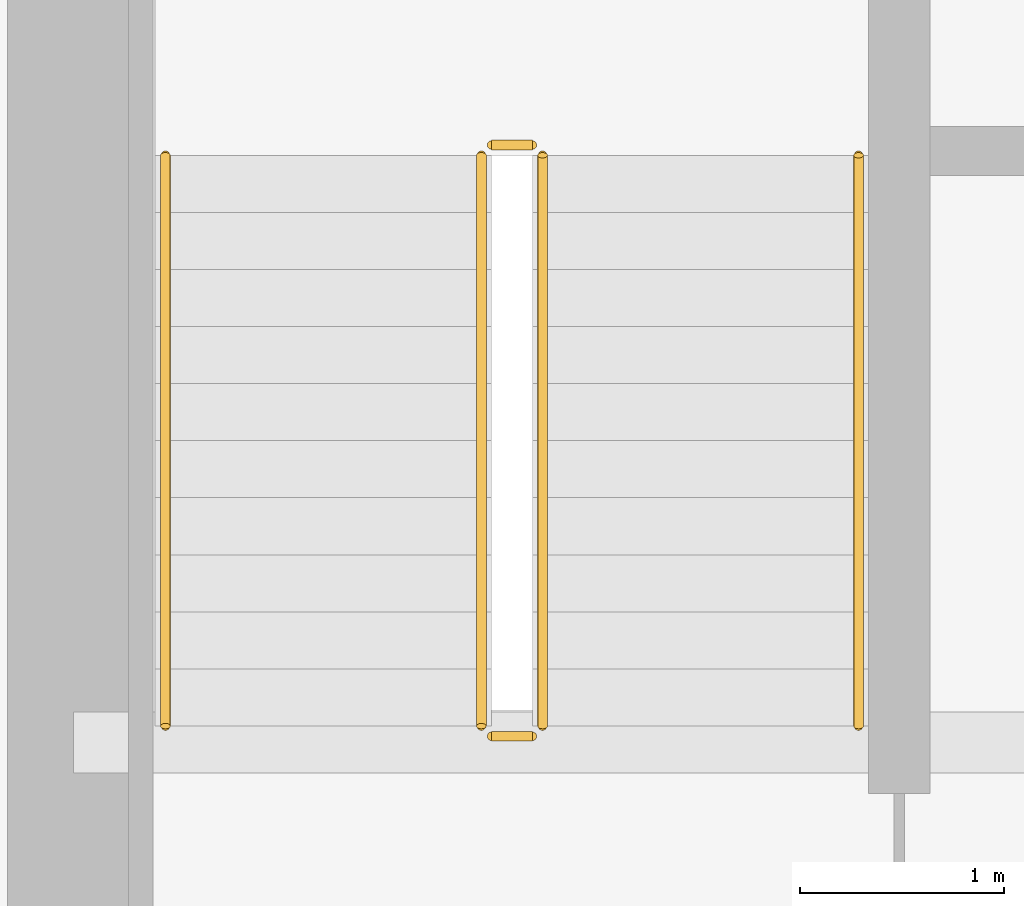
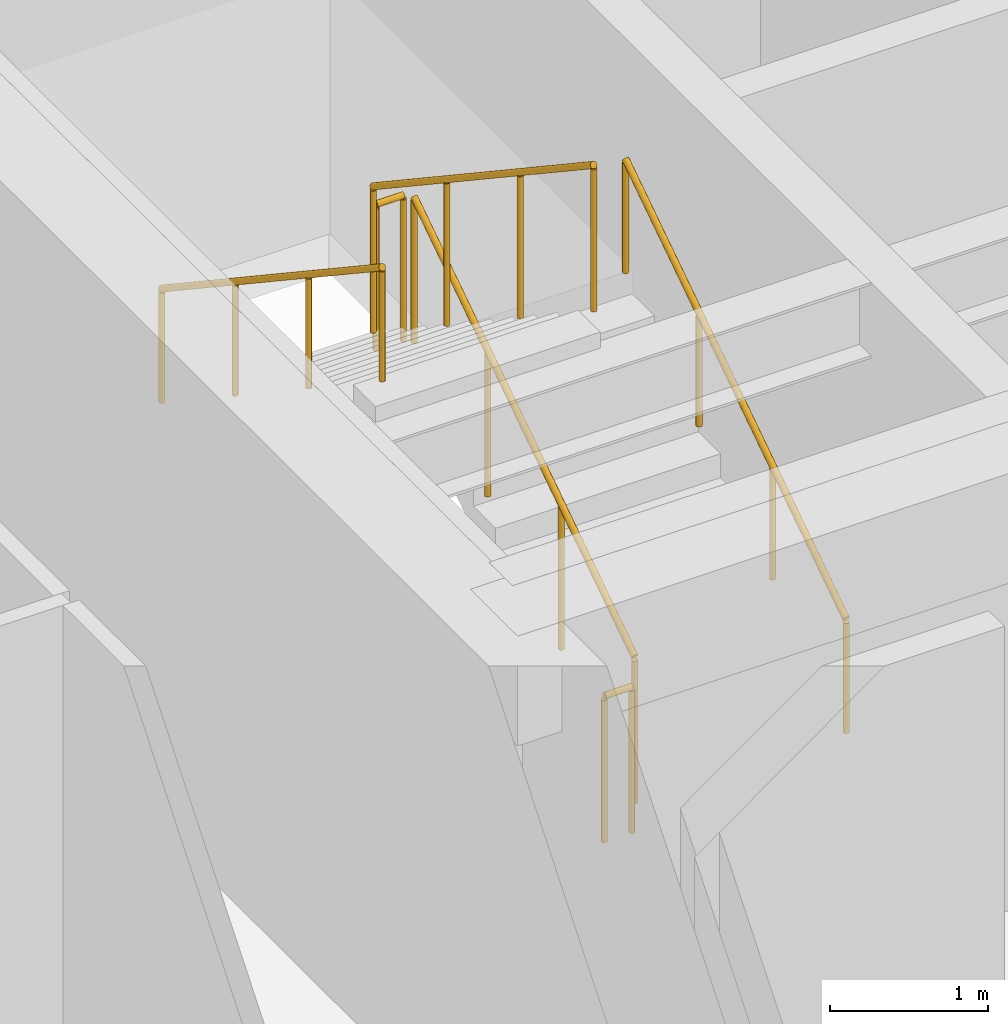
# One storey, part 30 of 31: 6 railings.
"""IFC4 building model written with IfcOpenShell, lengths in metres."""

from ifc_helpers import new_model, si_unit, direction, frame, origin, origin_2d, place, context, subcontext, project, spatial, circle, extrude, source, transform, mapped, material, type_object, type_shapes, element, save


model = new_model("IFC4")

# Units and contexts
model_context = context("Model", 3, precision=1e-05, world=origin(), true_north=direction((0.0, 1.0)))
body_context = subcontext(model_context, "Body", "Model", "MODEL_VIEW")
ifc_project = project(units=[si_unit("LENGTHUNIT", "METRE"), si_unit("AREAUNIT", "SQUARE_METRE"), si_unit("VOLUMEUNIT", "CUBIC_METRE"), si_unit("PLANEANGLEUNIT", "RADIAN"), si_unit("MASSUNIT", "GRAM", prefix="KILO")], contexts=[model_context])

# Site, building, storey
site_placement = place(None, origin())
site = spatial("IfcSite", under=ifc_project, at=site_placement, CompositionType="ELEMENT")
building_placement = place(site_placement, origin())
building = spatial("IfcBuilding", under=site, at=building_placement, Name="Haelvirn Gate Laboratories", CompositionType="ELEMENT")
storey_placement = place(building_placement, frame((0.0, 0.0, 174.800048828125)))
storey = spatial("IfcBuildingStorey", under=building, at=storey_placement, Name="L42", CompositionType="ELEMENT", Elevation=174.800048828125)

# Railings
ifc_material_1 = material(Name="Galvanised steel SM355 & stainless top rail", Category="steel")
railing_type_1 = type_object("IfcRailingType", Name="RL-GUARD-1150", PredefinedType="GUARDRAIL", material=ifc_material_1)
shared_shape_1 = source(origin(), body_context, "Body", "SweptSolid", [
    extrude(circle(Radius=0.02392578125, at=origin_2d()), frame((0.0, 0.0, 1.1259765625), z_axis=(-1.0, 0.0, 0.0), x_axis=(0.0, -1.0, 0.0)), (0.0, 0.0, 1.0), 0.199951171875),
    extrude(circle(Radius=0.02099609375, at=origin_2d()), origin(), (0.0, 0.0, 1.0), 1.101806640625),
    extrude(circle(Radius=0.02099609375, at=origin_2d()), frame((-0.199951171875, 0.0, 0.0)), (0.0, 0.0, 1.0), 1.101806640625),
])
for number, where, name in (
    (1, (9.64990234375, 29.550048828125, 2.050048828125), "L42 ST1 stair guard 2"),
    (2, (9.64990234375, 26.64990234375, 0.0), "L42 ST1 stair guard 4"),
):
    element("IfcRailing", number, at=place(storey_placement, frame(where)), inside=storey, type_object=railing_type_1, Name=name, PredefinedType="GUARDRAIL", context=body_context, shape_type="MappedRepresentation", body=[
        mapped(shared_shape_1, transform((0.0, 0.0, 0.0), scale=1.0)),
    ])
shared_shape_2 = source(origin(), body_context, "Body", "SweptSolid", [
    extrude(circle(Radius=0.02392578125, at=origin_2d()), frame((0.0, 0.0, 1.1259765625), z_axis=(0.0, 0.832452072856, 0.554097055034), x_axis=(-1.0, 0.0, 0.0)), (0.0, 0.0, 1.0), 3.363525390625),
    extrude(circle(Radius=0.02099609375, at=origin_2d()), origin(), (0.0, 0.0, 1.0), 1.101806640625),
    extrude(circle(Radius=0.02099609375, at=origin_2d()), frame((0.0, 0.933349609375, 0.621337890625)), (0.0, 0.0, 1.0), 1.101806640625),
    extrude(circle(Radius=0.02099609375, at=origin_2d()), frame((0.0, 1.86669921875, 1.242431640625)), (0.0, 0.0, 1.0), 1.101806640625),
    extrude(circle(Radius=0.02099609375, at=origin_2d()), frame((0.0, 2.800048828125, 1.86376953125)), (0.0, 0.0, 1.0), 1.101806640625),
])
railing_1_placement = place(storey_placement, frame((9.699951171875, 26.699951171875, 0.186279296875)))
element("IfcRailing", 3, at=railing_1_placement, inside=storey, type_object=railing_type_1, Name="L42 ST1 stair guard 1", PredefinedType="GUARDRAIL", context=body_context, shape_type="MappedRepresentation", body=[
    mapped(shared_shape_2, transform((0.0, 0.0, 0.0), scale=1.0)),
])
shared_shape_3 = source(origin(), body_context, "Body", "SweptSolid", [
    extrude(circle(Radius=0.02392578125, at=origin_2d()), frame((0.0, 0.0, 1.1259765625), z_axis=(0.0, -0.832485552168, 0.554046753832), x_axis=(1.0, 0.0, 0.0)), (0.0, 0.0, 1.0), 3.363525390625),
    extrude(circle(Radius=0.02099609375, at=origin_2d()), origin(), (0.0, 0.0, 1.0), 1.101806640625),
    extrude(circle(Radius=0.02099609375, at=origin_2d()), frame((0.0, -0.933349609375, 0.62109375)), (0.0, 0.0, 1.0), 1.101806640625),
    extrude(circle(Radius=0.02099609375, at=origin_2d()), frame((0.0, -1.86669921875, 1.242431640625)), (0.0, 0.0, 1.0), 1.101806640625),
    extrude(circle(Radius=0.02099609375, at=origin_2d()), frame((0.0, -2.800048828125, 1.863525390625)), (0.0, 0.0, 1.0), 1.101806640625),
])
type_shapes(railing_type_1, [shared_shape_1, shared_shape_2, shared_shape_3])
railing_2_placement = place(storey_placement, frame((9.39990234375, 29.5, 2.236328125)))
element("IfcRailing", 4, at=railing_2_placement, inside=storey, type_object=railing_type_1, Name="L42 ST1 stair guard 3", PredefinedType="GUARDRAIL", context=body_context, shape_type="MappedRepresentation", body=[
    mapped(shared_shape_3, transform((0.0, 0.0, 0.0), scale=1.0)),
])
ifc_material_2 = material(Name="Brushed stainless steel 316L", Category="steel")
railing_type_2 = type_object("IfcRailingType", Name="RL-HAND-920", PredefinedType="HANDRAIL", material=ifc_material_2)
shared_shape_4 = source(origin(), body_context, "Body", "SweptSolid", [
    extrude(circle(Radius=0.02392578125, at=origin_2d()), frame((0.0, 0.0, 0.8759765625), z_axis=(0.0, 0.832452072856, 0.554097055034), x_axis=(-1.0, 0.0, 0.0)), (0.0, 0.0, 1.0), 3.363525390625),
    extrude(circle(Radius=0.02099609375, at=origin_2d()), origin(), (0.0, 0.0, 1.0), 0.851806640625),
    extrude(circle(Radius=0.02099609375, at=origin_2d()), frame((0.0, 0.933349609375, 0.621337890625)), (0.0, 0.0, 1.0), 0.851806640625),
    extrude(circle(Radius=0.02099609375, at=origin_2d()), frame((0.0, 1.86669921875, 1.242431640625)), (0.0, 0.0, 1.0), 0.851806640625),
    extrude(circle(Radius=0.02099609375, at=origin_2d()), frame((0.0, 2.800048828125, 1.86376953125)), (0.0, 0.0, 1.0), 0.851806640625),
])
railing_3_placement = place(storey_placement, frame((11.25, 26.699951171875, 0.186279296875)))
element("IfcRailing", 5, at=railing_3_placement, inside=storey, type_object=railing_type_2, Name="L42 ST1 stair handrail 1", PredefinedType="HANDRAIL", context=body_context, shape_type="MappedRepresentation", body=[
    mapped(shared_shape_4, transform((0.0, 0.0, 0.0), scale=1.0)),
])
shared_shape_5 = source(origin(), body_context, "Body", "SweptSolid", [
    extrude(circle(Radius=0.02392578125, at=origin_2d()), frame((0.0, 0.0, 0.8759765625), z_axis=(0.0, -0.832485552168, 0.554046753832), x_axis=(1.0, 0.0, 0.0)), (0.0, 0.0, 1.0), 3.363525390625),
    extrude(circle(Radius=0.02099609375, at=origin_2d()), origin(), (0.0, 0.0, 1.0), 0.851806640625),
    extrude(circle(Radius=0.02099609375, at=origin_2d()), frame((0.0, -0.933349609375, 0.62109375)), (0.0, 0.0, 1.0), 0.851806640625),
    extrude(circle(Radius=0.02099609375, at=origin_2d()), frame((0.0, -1.86669921875, 1.242431640625)), (0.0, 0.0, 1.0), 0.851806640625),
    extrude(circle(Radius=0.02099609375, at=origin_2d()), frame((0.0, -2.800048828125, 1.863525390625)), (0.0, 0.0, 1.0), 0.851806640625),
])
type_shapes(railing_type_2, [shared_shape_4, shared_shape_5])
railing_4_placement = place(storey_placement, frame((7.85009765625, 29.5, 2.236328125)))
element("IfcRailing", 6, at=railing_4_placement, inside=storey, type_object=railing_type_2, Name="L42 ST1 stair handrail 2", PredefinedType="HANDRAIL", context=body_context, shape_type="MappedRepresentation", body=[
    mapped(shared_shape_5, transform((0.0, 0.0, 0.0), scale=1.0)),
])

save(model, "model.ifc")
